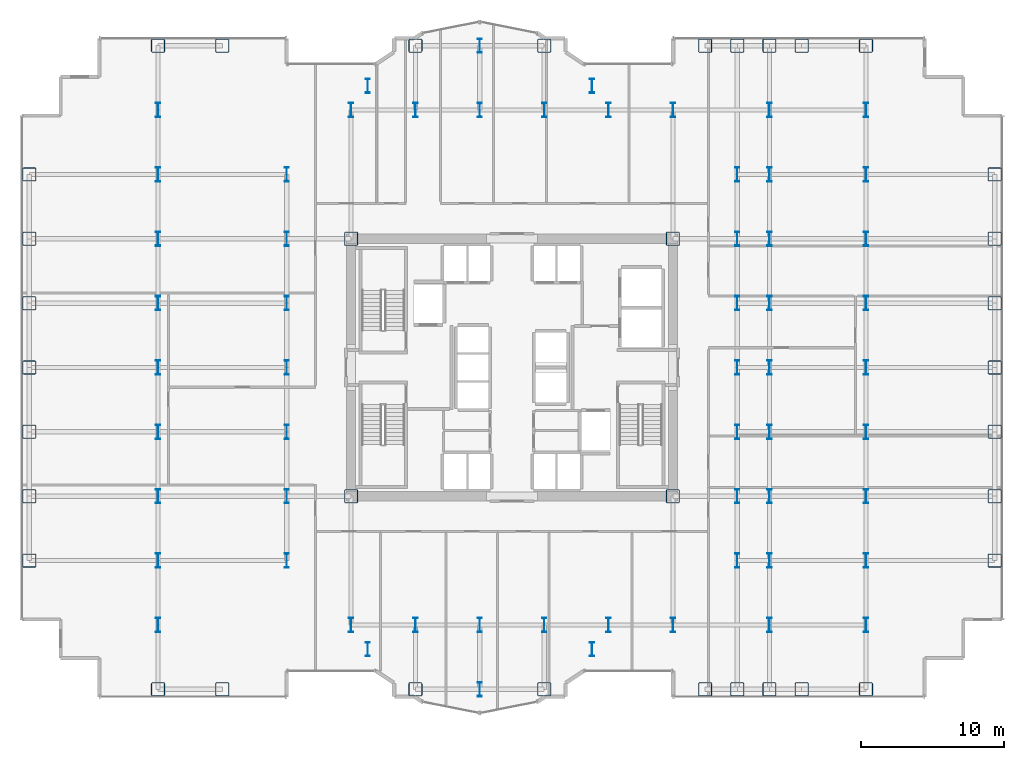
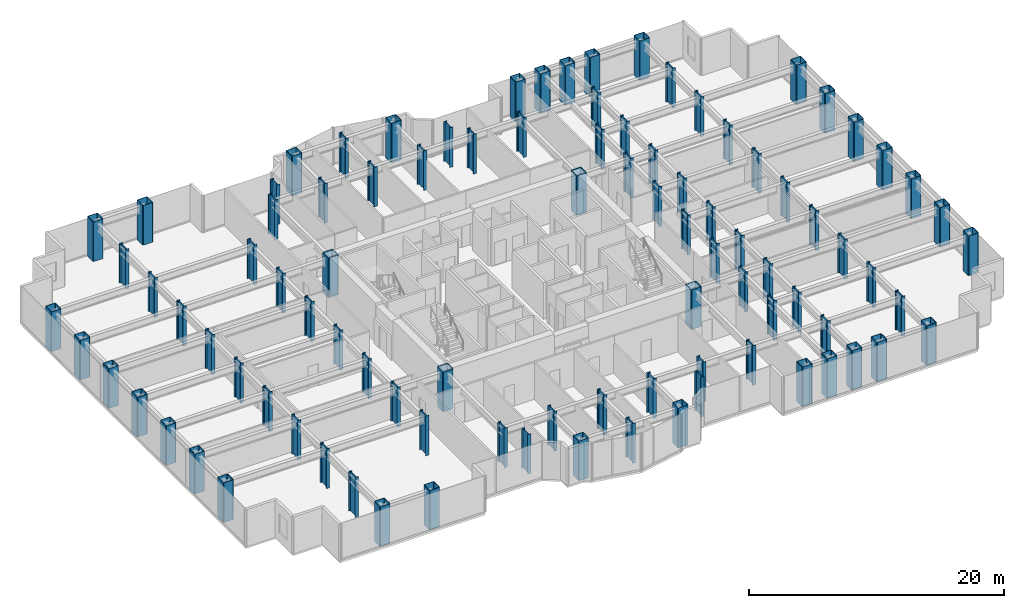
# One storey, part 1 of 26: 95 columns.
"""IFC4 building model written with IfcOpenShell, lengths in metres."""

from ifc_helpers import new_model, si_unit, direction, frame, origin, origin_2d, place, context, subcontext, project, spatial, hollow_rectangle, i_section, extrude, source, transform, mapped, material, material_profile, profile_set, type_object, element, save


model = new_model("IFC4")

# Units and contexts
model_context = context("Model", 3, precision=1e-05, world=origin(), true_north=direction((0.0, 1.0)))
body_context = subcontext(model_context, "Body", "Model", "MODEL_VIEW")
ifc_project = project(units=[si_unit("LENGTHUNIT", "METRE"), si_unit("AREAUNIT", "SQUARE_METRE"), si_unit("VOLUMEUNIT", "CUBIC_METRE"), si_unit("PLANEANGLEUNIT", "RADIAN"), si_unit("MASSUNIT", "GRAM", prefix="KILO")], contexts=[model_context])

# Site, building, storey
site_placement = place(None, origin())
site = spatial("IfcSite", under=ifc_project, at=site_placement, CompositionType="ELEMENT")
building_placement = place(site_placement, origin())
building = spatial("IfcBuilding", under=site, at=building_placement, Name="Nefas-Gora Pilgrimage Tower", CompositionType="ELEMENT")
storey_placement = place(building_placement, frame((0.0, 0.0, 40.60009765625)))
storey = spatial("IfcBuildingStorey", under=building, at=storey_placement, Name="L08", CompositionType="ELEMENT", Elevation=40.60009765625)

# Columns
ifc_material = material(Name="Steel S460", Category="steel")
ifc_material_profile_1 = material_profile(ifc_material, hollow_rectangle(XDim=0.949951171875, YDim=0.949951171875, WallThickness=0.044921875, InnerFilletRadius=0.044921875, OuterFilletRadius=0.090087890625, at=origin_2d()), Name="BOX 950x950x45")
ifc_profile_set_1 = profile_set([ifc_material_profile_1], Name="Steel S460")
column_type_1 = type_object("IfcColumnType", Name="COL-TUBE-950", PredefinedType="COLUMN", material=ifc_profile_set_1)
shared_shape_1 = source(origin(), body_context, "Body", "SweptSolid", [
    extrude(hollow_rectangle(XDim=0.949951171875, YDim=0.949951171875, WallThickness=0.044921875, InnerFilletRadius=0.044921875, OuterFilletRadius=0.090087890625, at=origin_2d()), origin(), (0.0, 0.0, 1.0), 3.7998046875),
])
for number, where, z_axis, x_axis, name in (
    (1, (-33.75, -13.5, 0.0), (0.0, 0.0, 1.0), (1.0, 0.0, 0.0), "L08 Tower Column C-Z1.1"),
    (2, (-33.75, -9.0, 0.0), (0.0, 0.0, 1.0), (1.0, 0.0, 0.0), "L08 Tower Column C-Z1.2"),
    (3, (-33.75, -4.5, 0.0), (0.0, 0.0, 1.0), (1.0, 0.0, 0.0), "L08 Tower Column C-Z1.3"),
    (4, (-33.75, 0.0, 0.0), (0.0, 0.0, 1.0), (1.0, 0.0, 0.0), "L08 Tower Column C-Z1.4"),
    (5, (-33.75, 4.5, 0.0), (0.0, 0.0, 1.0), (1.0, 0.0, 0.0), "L08 Tower Column C-Z1.5"),
    (6, (-33.75, 9.0, 0.0), (0.0, 0.0, 1.0), (1.0, 0.0, 0.0), "L08 Tower Column C-Z1.6"),
    (7, (-33.75, 13.5, 0.0), (0.0, 0.0, 1.0), (1.0, 0.0, 0.0), "L08 Tower Column C-Z1.7"),
    (8, (-24.75, -22.5, 0.0), (0.0, 0.0, 1.0), (1.0, 0.0, 0.0), "L08 Tower Column C-Z1.8"),
    (9, (-24.75, 22.5, 0.0), (0.0, 0.0, 1.0), (1.0, 0.0, 0.0), "L08 Tower Column C-Z1.18"),
    (10, (-20.25, -22.5, 0.0), (0.0, 0.0, 1.0), (1.0, 0.0, 0.0), "L08 Tower Column C-Z1.19"),
    (11, (-20.25, 22.5, 0.0), (0.0, 0.0, 1.0), (1.0, 0.0, 0.0), "L08 Tower Column C-Z1.20"),
    (12, (-6.75, -22.5, 0.0), (0.0, 0.0, 1.0), (1.0, 0.0, 0.0), "L08 Tower Column C-Z1.34"),
    (13, (-6.75, 22.5, 0.0), (0.0, 0.0, 1.0), (1.0, 0.0, 0.0), "L08 Tower Column C-Z1.37"),
    (14, (2.25, -22.5, 0.0), (0.0, 0.0, 1.0), (1.0, 0.0, 0.0), "L08 Tower Column C-Z1.42"),
    (15, (2.25, 22.5, 0.0), (0.0, 0.0, 1.0), (1.0, 0.0, 0.0), "L08 Tower Column C-Z1.45"),
    (16, (13.5, -22.5, 0.0), (0.0, 0.0, 1.0), (1.0, 0.0, 0.0), "L08 Tower Column C-Z1.54"),
    (17, (13.5, 22.5, 0.0), (0.0, 0.0, 1.0), (1.0, 0.0, 0.0), "L08 Tower Column C-Z1.55"),
    (18, (15.75, -22.5, 0.0), (0.0, 0.0, 1.0), (1.0, 0.0, 0.0), "L08 Tower Column C-Z1.56"),
    (19, (15.75, 22.5, 0.0), (0.0, 0.0, 1.0), (1.0, 0.0, 0.0), "L08 Tower Column C-Z1.64"),
    (20, (18.0, -22.5, 0.0), (0.0, 0.0, 1.0), (1.0, 0.0, 0.0), "L08 Tower Column C-Z1.65"),
    (21, (18.0, 22.5, 0.0), (0.0, 0.0, 1.0), (1.0, 0.0, 0.0), "L08 Tower Column C-Z1.75"),
    (22, (20.25, -22.5, 0.0), (0.0, 0.0, 1.0), (1.0, 0.0, 0.0), "L08 Tower Column C-Z1.76"),
    (23, (20.25, 22.5, 0.0), (0.0, 0.0, 1.0), (1.0, 0.0, 0.0), "L08 Tower Column C-Z1.77"),
    (24, (24.75, -22.5, 0.0), (0.0, 0.0, 1.0), (1.0, 0.0, 0.0), "L08 Tower Column C-Z1.78"),
    (25, (24.75, 22.5, 0.0), (0.0, 0.0, 1.0), (1.0, 0.0, 0.0), "L08 Tower Column C-Z1.88"),
    (26, (33.75, -13.5, 0.0), (0.0, 0.0, 1.0), (1.0, 0.0, 0.0), "L08 Tower Column C-Z1.89"),
    (27, (33.75, -9.0, 0.0), (0.0, 0.0, 1.0), (1.0, 0.0, 0.0), "L08 Tower Column C-Z1.90"),
    (28, (33.75, -4.5, 0.0), (0.0, 0.0, 1.0), (1.0, 0.0, 0.0), "L08 Tower Column C-Z1.91"),
    (29, (33.75, 0.0, 0.0), (0.0, 0.0, 1.0), (1.0, 0.0, 0.0), "L08 Tower Column C-Z1.92"),
    (30, (33.75, 4.5, 0.0), (0.0, 0.0, 1.0), (1.0, 0.0, 0.0), "L08 Tower Column C-Z1.93"),
    (31, (33.75, 9.0, 0.0), (0.0, 0.0, 1.0), (1.0, 0.0, 0.0), "L08 Tower Column C-Z1.94"),
    (32, (33.75, 13.5, 0.0), (0.0, 0.0, 1.0), (1.0, 0.0, 0.0), "L08 Tower Column C-Z1.95"),
):
    element("IfcColumn", number, at=place(storey_placement, frame(where, z_axis=z_axis, x_axis=x_axis)), inside=storey, type_object=column_type_1, Name=name, PredefinedType="COLUMN", context=body_context, shape_type="MappedRepresentation", body=[
        mapped(shared_shape_1, transform((0.0, 0.0, 0.0), x_axis=(1.0, 0.0, 0.0), y_axis=(0.0, 1.0, 0.0), z_axis=(0.0, 0.0, 1.0), scale=1.0)),
    ])
ifc_material_profile_2 = material_profile(ifc_material, i_section(OverallWidth=0.302001953125, OverallDepth=1.008056640625, WebThickness=0.02099609375, FlangeThickness=0.0400390625, FilletRadius=0.030029296875, at=origin_2d()), Name="HEM 1000")
ifc_profile_set_2 = profile_set([ifc_material_profile_2], Name="Steel S460")
column_type_2 = type_object("IfcColumnType", Name="COL-WEB-HEM1000", PredefinedType="COLUMN", material=ifc_profile_set_2)
shared_shape_2 = source(origin(), body_context, "Body", "SweptSolid", [
    extrude(i_section(OverallWidth=0.302001953125, OverallDepth=1.008056640625, WebThickness=0.02099609375, FlangeThickness=0.0400390625, FilletRadius=0.030029296875, at=origin_2d()), origin(), (0.0, 0.0, 1.0), 3.7998046875),
])
for number, where, z_axis, x_axis, name in (
    (33, (-24.75, -18.0, 0.0), (0.0, 0.0, 1.0), (1.0, 0.0, 0.0), "L08 Tower Column CW-01.9"),
    (34, (-24.75, -13.5, 0.0), (0.0, 0.0, 1.0), (1.0, 0.0, 0.0), "L08 Tower Column CW-01.10"),
    (35, (-24.75, -9.0, 0.0), (0.0, 0.0, 1.0), (1.0, 0.0, 0.0), "L08 Tower Column CW-01.11"),
    (36, (-24.75, -4.5, 0.0), (0.0, 0.0, 1.0), (1.0, 0.0, 0.0), "L08 Tower Column CW-01.12"),
    (37, (-24.75, 0.0, 0.0), (0.0, 0.0, 1.0), (1.0, 0.0, 0.0), "L08 Tower Column CW-01.13"),
    (38, (-24.75, 4.5, 0.0), (0.0, 0.0, 1.0), (1.0, 0.0, 0.0), "L08 Tower Column CW-01.14"),
    (39, (-24.75, 9.0, 0.0), (0.0, 0.0, 1.0), (1.0, 0.0, 0.0), "L08 Tower Column CW-01.15"),
    (40, (-24.75, 13.5, 0.0), (0.0, 0.0, 1.0), (1.0, 0.0, 0.0), "L08 Tower Column CW-01.16"),
    (41, (-24.75, 18.0, 0.0), (0.0, 0.0, 1.0), (1.0, 0.0, 0.0), "L08 Tower Column CW-01.17"),
    (42, (-15.75, -13.5, 0.0), (0.0, 0.0, 1.0), (1.0, 0.0, 0.0), "L08 Tower Column CW-01.21"),
    (43, (-15.75, -9.0, 0.0), (0.0, 0.0, 1.0), (1.0, 0.0, 0.0), "L08 Tower Column CW-01.22"),
    (44, (-15.75, -4.5, 0.0), (0.0, 0.0, 1.0), (1.0, 0.0, 0.0), "L08 Tower Column CW-01.23"),
    (45, (-15.75, 0.0, 0.0), (0.0, 0.0, 1.0), (1.0, 0.0, 0.0), "L08 Tower Column CW-01.24"),
    (46, (-15.75, 4.5, 0.0), (0.0, 0.0, 1.0), (1.0, 0.0, 0.0), "L08 Tower Column CW-01.25"),
    (47, (-15.75, 9.0, 0.0), (0.0, 0.0, 1.0), (1.0, 0.0, 0.0), "L08 Tower Column CW-01.26"),
    (48, (-15.75, 13.5, 0.0), (0.0, 0.0, 1.0), (1.0, 0.0, 0.0), "L08 Tower Column CW-01.27"),
    (49, (-11.25, -18.0, 0.0), (0.0, 0.0, 1.0), (1.0, 0.0, 0.0), "L08 Tower Column CW-01.28"),
    (50, (-11.25, 18.0, 0.0), (0.0, 0.0, 1.0), (1.0, 0.0, 0.0), "L08 Tower Column CW-01.31"),
    (51, (-10.091064453125, -19.696044921875, 0.0), (0.0, 0.0, 1.0), (1.0, 0.0, 0.0), "L08 Tower Column CW-01.32"),
    (52, (-10.091064453125, 19.696044921875, 0.0), (0.0, 0.0, 1.0), (1.0, 0.0, 0.0), "L08 Tower Column CW-01.33"),
    (53, (-6.75, -18.0, 0.0), (0.0, 0.0, 1.0), (1.0, 0.0, 0.0), "L08 Tower Column CW-01.35"),
    (54, (-6.75, 18.0, 0.0), (0.0, 0.0, 1.0), (1.0, 0.0, 0.0), "L08 Tower Column CW-01.36"),
    (55, (-2.25, -22.5, 0.0), (0.0, 0.0, 1.0), (1.0, 0.0, 0.0), "L08 Tower Column CW-01.38"),
    (56, (-2.25, -18.0, 0.0), (0.0, 0.0, 1.0), (1.0, 0.0, 0.0), "L08 Tower Column CW-01.39"),
    (57, (-2.25, 18.0, 0.0), (0.0, 0.0, 1.0), (1.0, 0.0, 0.0), "L08 Tower Column CW-01.40"),
    (58, (-2.25, 22.5, 0.0), (0.0, 0.0, 1.0), (1.0, 0.0, 0.0), "L08 Tower Column CW-01.41"),
    (59, (2.25, -18.0, 0.0), (0.0, 0.0, 1.0), (1.0, 0.0, 0.0), "L08 Tower Column CW-01.43"),
    (60, (2.25, 18.0, 0.0), (0.0, 0.0, 1.0), (1.0, 0.0, 0.0), "L08 Tower Column CW-01.44"),
    (61, (5.591064453125, -19.696044921875, 0.0), (0.0, 0.0, 1.0), (1.0, 0.0, 0.0), "L08 Tower Column CW-01.46"),
    (62, (5.591064453125, 19.696044921875, 0.0), (0.0, 0.0, 1.0), (1.0, 0.0, 0.0), "L08 Tower Column CW-01.47"),
    (63, (6.75, -18.0, 0.0), (0.0, 0.0, 1.0), (1.0, 0.0, 0.0), "L08 Tower Column CW-01.48"),
    (64, (6.75, 18.0, 0.0), (0.0, 0.0, 1.0), (1.0, 0.0, 0.0), "L08 Tower Column CW-01.49"),
    (65, (11.25, -18.0, 0.0), (0.0, 0.0, 1.0), (1.0, 0.0, 0.0), "L08 Tower Column CW-01.50"),
    (66, (11.25, 18.0, 0.0), (0.0, 0.0, 1.0), (1.0, 0.0, 0.0), "L08 Tower Column CW-01.53"),
    (67, (15.75, -13.5, 0.0), (0.0, 0.0, 1.0), (1.0, 0.0, 0.0), "L08 Tower Column CW-01.57"),
    (68, (15.75, -9.0, 0.0), (0.0, 0.0, 1.0), (1.0, 0.0, 0.0), "L08 Tower Column CW-01.58"),
    (69, (15.75, -4.5, 0.0), (0.0, 0.0, 1.0), (1.0, 0.0, 0.0), "L08 Tower Column CW-01.59"),
    (70, (15.75, 0.0, 0.0), (0.0, 0.0, 1.0), (1.0, 0.0, 0.0), "L08 Tower Column CW-01.60"),
    (71, (15.75, 4.5, 0.0), (0.0, 0.0, 1.0), (1.0, 0.0, 0.0), "L08 Tower Column CW-01.61"),
    (72, (15.75, 9.0, 0.0), (0.0, 0.0, 1.0), (1.0, 0.0, 0.0), "L08 Tower Column CW-01.62"),
    (73, (15.75, 13.5, 0.0), (0.0, 0.0, 1.0), (1.0, 0.0, 0.0), "L08 Tower Column CW-01.63"),
    (74, (18.0, -18.0, 0.0), (0.0, 0.0, 1.0), (1.0, 0.0, 0.0), "L08 Tower Column CW-01.66"),
    (75, (18.0, -13.5, 0.0), (0.0, 0.0, 1.0), (1.0, 0.0, 0.0), "L08 Tower Column CW-01.67"),
    (76, (18.0, -9.0, 0.0), (0.0, 0.0, 1.0), (1.0, 0.0, 0.0), "L08 Tower Column CW-01.68"),
    (77, (18.0, -4.5, 0.0), (0.0, 0.0, 1.0), (1.0, 0.0, 0.0), "L08 Tower Column CW-01.69"),
    (78, (18.0, 0.0, 0.0), (0.0, 0.0, 1.0), (1.0, 0.0, 0.0), "L08 Tower Column CW-01.70"),
    (79, (18.0, 4.5, 0.0), (0.0, 0.0, 1.0), (1.0, 0.0, 0.0), "L08 Tower Column CW-01.71"),
    (80, (18.0, 9.0, 0.0), (0.0, 0.0, 1.0), (1.0, 0.0, 0.0), "L08 Tower Column CW-01.72"),
    (81, (18.0, 13.5, 0.0), (0.0, 0.0, 1.0), (1.0, 0.0, 0.0), "L08 Tower Column CW-01.73"),
    (82, (18.0, 18.0, 0.0), (0.0, 0.0, 1.0), (1.0, 0.0, 0.0), "L08 Tower Column CW-01.74"),
    (83, (24.75, -18.0, 0.0), (0.0, 0.0, 1.0), (1.0, 0.0, 0.0), "L08 Tower Column CW-01.79"),
    (84, (24.75, -13.5, 0.0), (0.0, 0.0, 1.0), (1.0, 0.0, 0.0), "L08 Tower Column CW-01.80"),
    (85, (24.75, -9.0, 0.0), (0.0, 0.0, 1.0), (1.0, 0.0, 0.0), "L08 Tower Column CW-01.81"),
    (86, (24.75, -4.5, 0.0), (0.0, 0.0, 1.0), (1.0, 0.0, 0.0), "L08 Tower Column CW-01.82"),
    (87, (24.75, 0.0, 0.0), (0.0, 0.0, 1.0), (1.0, 0.0, 0.0), "L08 Tower Column CW-01.83"),
    (88, (24.75, 4.5, 0.0), (0.0, 0.0, 1.0), (1.0, 0.0, 0.0), "L08 Tower Column CW-01.84"),
    (89, (24.75, 9.0, 0.0), (0.0, 0.0, 1.0), (1.0, 0.0, 0.0), "L08 Tower Column CW-01.85"),
    (90, (24.75, 13.5, 0.0), (0.0, 0.0, 1.0), (1.0, 0.0, 0.0), "L08 Tower Column CW-01.86"),
    (91, (24.75, 18.0, 0.0), (0.0, 0.0, 1.0), (1.0, 0.0, 0.0), "L08 Tower Column CW-01.87"),
):
    element("IfcColumn", number, at=place(storey_placement, frame(where, z_axis=z_axis, x_axis=x_axis)), inside=storey, type_object=column_type_2, Name=name, PredefinedType="COLUMN", context=body_context, shape_type="MappedRepresentation", body=[
        mapped(shared_shape_2, transform((0.0, 0.0, 0.0), x_axis=(1.0, 0.0, 0.0), y_axis=(0.0, 1.0, 0.0), z_axis=(0.0, 0.0, 1.0), scale=1.0)),
    ])
ifc_material_profile_3 = material_profile(ifc_material, hollow_rectangle(XDim=0.949951171875, YDim=0.949951171875, WallThickness=0.044921875, InnerFilletRadius=0.044921875, OuterFilletRadius=0.090087890625, at=origin_2d()), Name="BOX 950x950x45")
ifc_profile_set_3 = profile_set([ifc_material_profile_3], Name="Steel S460")
column_type_3 = type_object("IfcColumnType", Name="COL-CORE-950", PredefinedType="COLUMN", material=ifc_profile_set_3)
shared_shape_3 = source(origin(), body_context, "Body", "SweptSolid", [
    extrude(hollow_rectangle(XDim=0.949951171875, YDim=0.949951171875, WallThickness=0.044921875, InnerFilletRadius=0.044921875, OuterFilletRadius=0.090087890625, at=origin_2d()), origin(), (0.0, 0.0, 1.0), 3.7998046875),
])
for number, where, z_axis, x_axis, name in (
    (92, (-11.25, -9.0, 0.0), (0.0, 0.0, 1.0), (1.0, 0.0, 0.0), "L08 Tower Column CC-Z1.29"),
    (93, (-11.25, 9.0, 0.0), (0.0, 0.0, 1.0), (1.0, 0.0, 0.0), "L08 Tower Column CC-Z1.30"),
    (94, (11.25, -9.0, 0.0), (0.0, 0.0, 1.0), (1.0, 0.0, 0.0), "L08 Tower Column CC-Z1.51"),
    (95, (11.25, 9.0, 0.0), (0.0, 0.0, 1.0), (1.0, 0.0, 0.0), "L08 Tower Column CC-Z1.52"),
):
    element("IfcColumn", number, at=place(storey_placement, frame(where, z_axis=z_axis, x_axis=x_axis)), inside=storey, type_object=column_type_3, Name=name, PredefinedType="COLUMN", context=body_context, shape_type="MappedRepresentation", body=[
        mapped(shared_shape_3, transform((0.0, 0.0, 0.0), x_axis=(1.0, 0.0, 0.0), y_axis=(0.0, 1.0, 0.0), z_axis=(0.0, 0.0, 1.0), scale=1.0)),
    ])

save(model, "model.ifc")
